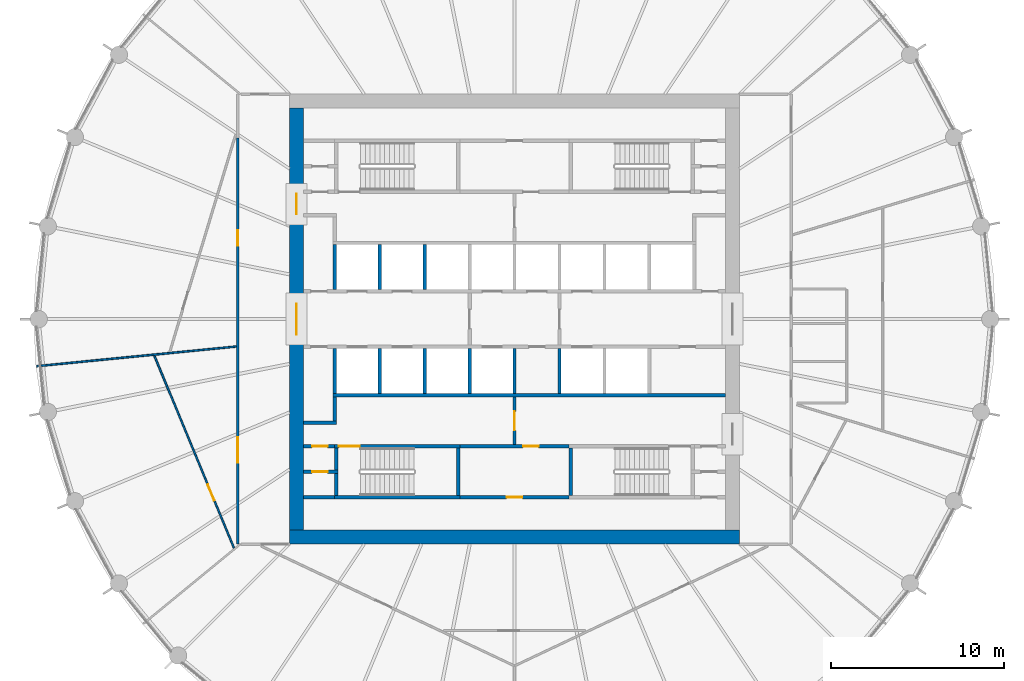
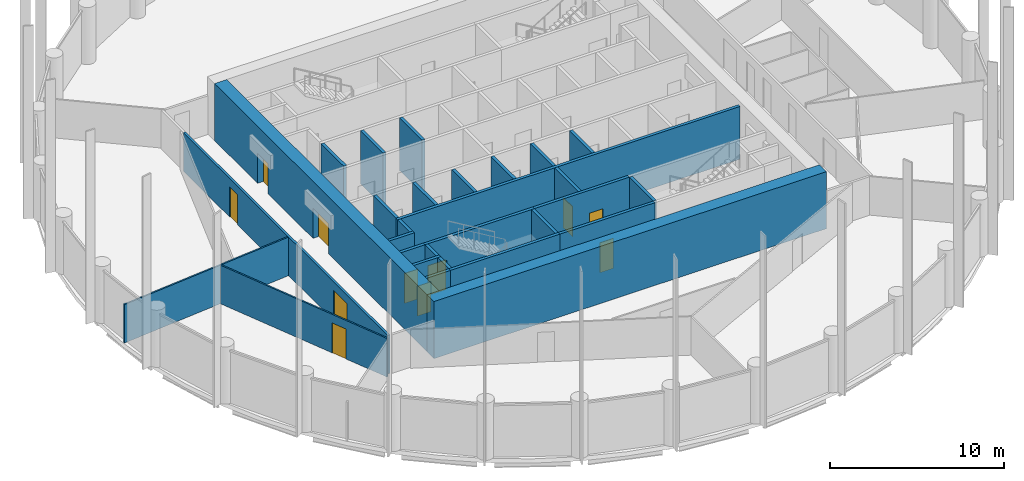
# One storey, part 4 of 8: 29 walls, 11 doors, 11 openings.
"""IFC4 building model written with IfcOpenShell, lengths in metres."""

from ifc_helpers import new_model, si_unit, direction, frame, frame_2d, origin, place, context, subcontext, project, spatial, polyline, rectangle, outline, extrude, material, layer, layer_set, type_object, element, fill, save


model = new_model("IFC4")

# Units and contexts
model_context = context("Model", 3, precision=1e-05, world=origin(), true_north=direction((0.0, 1.0)))
body_context = subcontext(model_context, "Body", "Model", "MODEL_VIEW")
ifc_project = project(units=[si_unit("LENGTHUNIT", "METRE"), si_unit("AREAUNIT", "SQUARE_METRE"), si_unit("VOLUMEUNIT", "CUBIC_METRE"), si_unit("PLANEANGLEUNIT", "RADIAN"), si_unit("MASSUNIT", "GRAM", prefix="KILO")], contexts=[model_context])

# Site, building, storey
site_placement = place(None, origin())
site = spatial("IfcSite", under=ifc_project, at=site_placement, CompositionType="ELEMENT")
building_placement = place(site_placement, origin())
building = spatial("IfcBuilding", under=site, at=building_placement, Name="Corvane Civic Tower", CompositionType="ELEMENT")
storey_placement = place(building_placement, frame((0.0, 0.0, 249.5)))
storey = spatial("IfcBuildingStorey", under=building, at=storey_placement, Name="L59", CompositionType="ELEMENT", Elevation=249.5)

# Wall
ifc_material_1 = material(Name="Concrete C50/60", Category="concrete")
ifc_layer_1 = layer(ifc_material_1, 0.800048828125)
ifc_layer_set_1 = layer_set([ifc_layer_1], Name="Concrete C50/60")
wall_type_1 = type_object("IfcWallType", Name="CORE WALL 800 C50/60", PredefinedType="SHEAR", material=ifc_layer_set_1)
wall_1_placement = place(storey_placement, frame((-13.0, -12.60009765625, 0.0), z_axis=(0.0, 0.0, 1.0), x_axis=(1.0, 0.0, 0.0)))
element("IfcWall", 1, at=wall_1_placement, inside=storey, type_object=wall_type_1, Name="W-L59-core-S", PredefinedType="SHEAR", context=body_context, shape_type="SweptSolid", body=[
    extrude(rectangle(XDim=26.0, YDim=0.800048828125, at=frame_2d((13.0, 0.0))), origin(), (0.0, 0.0, 1.0), 4.0),
])

# Wall, openings, doors
wall_2_placement = place(storey_placement, frame((-12.60009765625, -12.199951171875, 0.0), z_axis=(0.0, 0.0, 1.0), x_axis=(0.0, 1.0, 0.0)))
wall_2 = element("IfcWall", 2, at=wall_2_placement, inside=storey, type_object=wall_type_1, Name="W-L59-core-W", PredefinedType="SHEAR", context=body_context, shape_type="SweptSolid", body=[
    extrude(rectangle(XDim=24.39990234375, YDim=0.800048828125, at=frame_2d((12.199951171875, 0.0))), origin(), (0.0, 0.0, 1.0), 4.0),
])
opening_1_placement = place(wall_2_placement, frame((11.300048828125, 0.0, 0.0)))
opening_1 = element("IfcOpeningElement", 3, at=opening_1_placement, cuts=wall_2, Name="Opening L59.C28", PredefinedType="OPENING", context=body_context, shape_type="SweptSolid", body=[
    extrude(rectangle(XDim=1.800048828125, YDim=2.10009765625, at=frame_2d((0.89990234375, 1.050048828125))), frame((0.0, 0.409912109375, 0.0), z_axis=(0.0, -1.0, 0.0), x_axis=(1.0, 0.0, 0.0)), (0.0, 0.0, 1.0), 0.820068359375),
])
opening_2_placement = place(wall_2_placement, frame((18.25, 0.0, 0.0)))
opening_2 = element("IfcOpeningElement", 4, at=opening_2_placement, cuts=wall_2, Name="Opening L59.C30", PredefinedType="OPENING", context=body_context, shape_type="SweptSolid", body=[
    extrude(rectangle(XDim=1.199951171875, YDim=2.10009765625, at=frame_2d((0.60009765625, 1.050048828125))), frame((0.0, 0.409912109375, 0.0), z_axis=(0.0, -1.0, 0.0), x_axis=(1.0, 0.0, 0.0)), (0.0, 0.0, 1.0), 0.820068359375),
])
ifc_material_2 = material(Name="Steel fire door leaf", Category="steel")
door_type_1 = type_object("IfcDoorType", Name="CR-DOOR-CORE-1800", OperationType="DOUBLE_DOOR_SINGLE_SWING", PredefinedType="DOOR", material=ifc_material_2)
door_1_placement = place(opening_1_placement, origin())
door_1 = element("IfcDoor", 5, at=door_1_placement, inside=storey, type_object=door_type_1, Name="L59 door", OperationType="DOUBLE_DOOR_SINGLE_SWING", OverallHeight=2.10009765625, OverallWidth=1.800048828125, PredefinedType="DOOR", context=body_context, shape_type="SweptSolid", body=[
    extrude(rectangle(XDim=1.800048828125, YDim=2.10009765625, at=frame_2d((0.89990234375, 1.050048828125))), frame((0.0, 0.02490234375, 0.0), z_axis=(0.0, -1.0, 0.0), x_axis=(1.0, 0.0, 0.0)), (0.0, 0.0, 1.0), 0.050048828125),
])
fill(opening_1, door_1)
door_2_placement = place(opening_2_placement, origin())
door_2 = element("IfcDoor", 6, at=door_2_placement, inside=storey, type_object=door_type_1, Name="L59 door", OperationType="DOUBLE_DOOR_SINGLE_SWING", OverallHeight=2.10009765625, OverallWidth=1.199951171875, PredefinedType="DOOR", context=body_context, shape_type="SweptSolid", body=[
    extrude(rectangle(XDim=1.199951171875, YDim=2.10009765625, at=frame_2d((0.60009765625, 1.050048828125))), frame((0.0, 0.02490234375, 0.0), z_axis=(0.0, -1.0, 0.0), x_axis=(1.0, 0.0, 0.0)), (0.0, 0.0, 1.0), 0.050048828125),
])
fill(opening_2, door_2)

# Wall, opening, door
ifc_material_3 = material(Name="Concrete C30/37", Category="concrete")
ifc_layer_2 = layer(ifc_material_3, 0.199951171875)
ifc_layer_set_2 = layer_set([ifc_layer_2], Name="Concrete C30/37")
wall_type_2 = type_object("IfcWallType", Name="CR-WALL-200", PredefinedType="PARTITIONING", material=ifc_layer_set_2)
wall_3_placement = place(storey_placement, frame((-3.14990234375, -10.300048828125, 0.0), z_axis=(0.0, 0.0, 1.0), x_axis=(1.0, 0.0, 0.0)))
wall_3 = element("IfcWall", 7, at=wall_3_placement, inside=storey, type_object=wall_type_2, Name="L59 partition wall", PredefinedType="PARTITIONING", context=body_context, shape_type="SweptSolid", body=[
    extrude(rectangle(XDim=6.2998046875, YDim=0.199951171875, at=frame_2d((3.14990234375, 0.0))), origin(), (0.0, 0.0, 1.0), 3.699951171875),
])
opening_3_placement = place(wall_3_placement, frame((2.699951171875, 0.0, 0.0)))
opening_3 = element("IfcOpeningElement", 8, at=opening_3_placement, cuts=wall_3, Name="Opening L59.C09", PredefinedType="OPENING", context=body_context, shape_type="SweptSolid", body=[
    extrude(rectangle(XDim=0.89990234375, YDim=2.10009765625, at=frame_2d((0.449951171875, 1.050048828125))), frame((0.0, 0.10986328125, 0.0), z_axis=(0.0, -1.0, 0.0), x_axis=(1.0, 0.0, 0.0)), (0.0, 0.0, 1.0), 0.219970703125),
])
ifc_material_4 = material(Name="Steel fire door leaf", Category="steel")
door_type_2 = type_object("IfcDoorType", Name="CR-DOOR-900", OperationType="SINGLE_SWING_LEFT", PredefinedType="DOOR", material=ifc_material_4)
door_3_placement = place(opening_3_placement, origin())
door_3 = element("IfcDoor", 9, at=door_3_placement, inside=storey, type_object=door_type_2, Name="L59 door", OperationType="SINGLE_SWING_LEFT", OverallHeight=2.10009765625, OverallWidth=0.89990234375, PredefinedType="DOOR", context=body_context, shape_type="SweptSolid", body=[
    extrude(rectangle(XDim=0.89990234375, YDim=2.10009765625, at=frame_2d((0.449951171875, 1.050048828125))), frame((0.0, 0.02490234375, 0.0), z_axis=(0.0, -1.0, 0.0), x_axis=(1.0, 0.0, 0.0)), (0.0, 0.0, 1.0), 0.050048828125),
])
fill(opening_3, door_3)

wall_4_placement = place(storey_placement, frame((-12.199951171875, -8.824951171875, 0.0), z_axis=(0.0, 0.0, 1.0), x_axis=(1.0, 0.0, 0.0)))
wall_4 = element("IfcWall", 10, at=wall_4_placement, inside=storey, type_object=wall_type_2, Name="L59 partition wall", PredefinedType="PARTITIONING", context=body_context, shape_type="SweptSolid", body=[
    extrude(rectangle(XDim=2.0, YDim=0.199951171875, at=frame_2d((1.0, 0.0))), origin(), (0.0, 0.0, 1.0), 3.699951171875),
])
opening_4_placement = place(wall_4_placement, frame((0.5, 0.0, 0.0)))
opening_4 = element("IfcOpeningElement", 11, at=opening_4_placement, cuts=wall_4, Name="Opening L59.C13", PredefinedType="OPENING", context=body_context, shape_type="SweptSolid", body=[
    extrude(rectangle(XDim=0.89990234375, YDim=2.10009765625, at=frame_2d((0.449951171875, 1.050048828125))), frame((0.0, 0.10986328125, 0.0), z_axis=(0.0, -1.0, 0.0), x_axis=(1.0, 0.0, 0.0)), (0.0, 0.0, 1.0), 0.219970703125),
])
door_4_placement = place(opening_4_placement, origin())
door_4 = element("IfcDoor", 12, at=door_4_placement, inside=storey, type_object=door_type_2, Name="L59 door", OperationType="SINGLE_SWING_LEFT", OverallHeight=2.10009765625, OverallWidth=0.89990234375, PredefinedType="DOOR", context=body_context, shape_type="SweptSolid", body=[
    extrude(rectangle(XDim=0.89990234375, YDim=2.10009765625, at=frame_2d((0.449951171875, 1.050048828125))), frame((0.0, 0.02490234375, 0.0), z_axis=(0.0, -1.0, 0.0), x_axis=(1.0, 0.0, 0.0)), (0.0, 0.0, 1.0), 0.050048828125),
])
fill(opening_4, door_4)

wall_5_placement = place(storey_placement, frame((-12.199951171875, -7.35009765625, 0.0), z_axis=(0.0, 0.0, 1.0), x_axis=(1.0, 0.0, 0.0)))
wall_5 = element("IfcWall", 13, at=wall_5_placement, inside=storey, type_object=wall_type_2, Name="L59 core partition wall", PredefinedType="PARTITIONING", context=body_context, shape_type="SweptSolid", body=[
    extrude(rectangle(XDim=1.800048828125, YDim=0.199951171875, at=frame_2d((0.89990234375, 0.0))), origin(), (0.0, 0.0, 1.0), 3.699951171875),
])
opening_5_placement = place(wall_5_placement, frame((0.5, 0.0, 0.0)))
opening_5 = element("IfcOpeningElement", 14, at=opening_5_placement, cuts=wall_5, Name="Opening L59.C12", PredefinedType="OPENING", context=body_context, shape_type="SweptSolid", body=[
    extrude(rectangle(XDim=0.89990234375, YDim=2.10009765625, at=frame_2d((0.449951171875, 1.050048828125))), frame((0.0, 0.10986328125, 0.0), z_axis=(0.0, -1.0, 0.0), x_axis=(1.0, 0.0, 0.0)), (0.0, 0.0, 1.0), 0.219970703125),
])
door_5_placement = place(opening_5_placement, origin())
door_5 = element("IfcDoor", 15, at=door_5_placement, inside=storey, type_object=door_type_2, Name="L59 door", OperationType="SINGLE_SWING_LEFT", OverallHeight=2.10009765625, OverallWidth=0.89990234375, PredefinedType="DOOR", context=body_context, shape_type="SweptSolid", body=[
    extrude(rectangle(XDim=0.89990234375, YDim=2.10009765625, at=frame_2d((0.449951171875, 1.050048828125))), frame((0.0, 0.02490234375, 0.0), z_axis=(0.0, -1.0, 0.0), x_axis=(1.0, 0.0, 0.0)), (0.0, 0.0, 1.0), 0.050048828125),
])
fill(opening_5, door_5)

wall_6_placement = place(storey_placement, frame((-3.14990234375, -7.35009765625, 0.0), z_axis=(0.0, 0.0, 1.0), x_axis=(1.0, 0.0, 0.0)))
wall_6 = element("IfcWall", 16, at=wall_6_placement, inside=storey, type_object=wall_type_2, Name="L59 partition wall", PredefinedType="PARTITIONING", context=body_context, shape_type="SweptSolid", body=[
    extrude(rectangle(XDim=6.2998046875, YDim=0.199951171875, at=frame_2d((3.14990234375, 0.0))), origin(), (0.0, 0.0, 1.0), 3.699951171875),
])
opening_6_placement = place(wall_6_placement, frame((3.64990234375, 0.0, 0.0)))
opening_6 = element("IfcOpeningElement", 17, at=opening_6_placement, cuts=wall_6, Name="Opening L59.C07", PredefinedType="OPENING", context=body_context, shape_type="SweptSolid", body=[
    extrude(rectangle(XDim=0.89990234375, YDim=2.10009765625, at=frame_2d((0.449951171875, 1.050048828125))), frame((0.0, 0.10986328125, 0.0), z_axis=(0.0, -1.0, 0.0), x_axis=(1.0, 0.0, 0.0)), (0.0, 0.0, 1.0), 0.219970703125),
])
door_6_placement = place(opening_6_placement, origin())
door_6 = element("IfcDoor", 18, at=door_6_placement, inside=storey, type_object=door_type_2, Name="L59 door", OperationType="SINGLE_SWING_LEFT", OverallHeight=2.10009765625, OverallWidth=0.89990234375, PredefinedType="DOOR", context=body_context, shape_type="SweptSolid", body=[
    extrude(rectangle(XDim=0.89990234375, YDim=2.10009765625, at=frame_2d((0.449951171875, 1.050048828125))), frame((0.0, 0.02490234375, 0.0), z_axis=(0.0, -1.0, 0.0), x_axis=(1.0, 0.0, 0.0)), (0.0, 0.0, 1.0), 0.050048828125),
])
fill(opening_6, door_6)

wall_7_placement = place(storey_placement, frame((0.0, -7.25, 0.0), z_axis=(0.0, 0.0, 1.0), x_axis=(0.0, 1.0, 0.0)))
wall_7 = element("IfcWall", 19, at=wall_7_placement, inside=storey, type_object=wall_type_2, Name="L59 core partition wall", PredefinedType="PARTITIONING", context=body_context, shape_type="SweptSolid", body=[
    extrude(rectangle(XDim=2.75, YDim=0.199951171875, at=frame_2d((1.375, 0.0))), origin(), (0.0, 0.0, 1.0), 3.699951171875),
])
opening_7_placement = place(wall_7_placement, frame((0.824951171875, 0.0, 0.0)))
opening_7 = element("IfcOpeningElement", 20, at=opening_7_placement, cuts=wall_7, Name="Opening L59.C27", PredefinedType="OPENING", context=body_context, shape_type="SweptSolid", body=[
    extrude(rectangle(XDim=1.10009765625, YDim=2.10009765625, at=frame_2d((0.550048828125, 1.050048828125))), frame((0.0, 0.10986328125, 0.0), z_axis=(0.0, -1.0, 0.0), x_axis=(1.0, 0.0, 0.0)), (0.0, 0.0, 1.0), 0.219970703125),
])
ifc_material_5 = material(Name="Steel fire door leaf", Category="steel")
door_type_3 = type_object("IfcDoorType", Name="CR-DOOR-FFL-1100", OperationType="SINGLE_SWING_LEFT", PredefinedType="DOOR", material=ifc_material_5)
door_7_placement = place(opening_7_placement, origin())
door_7 = element("IfcDoor", 21, at=door_7_placement, inside=storey, type_object=door_type_3, Name="L59 lobby door", OperationType="SINGLE_SWING_LEFT", OverallHeight=2.10009765625, OverallWidth=1.10009765625, PredefinedType="DOOR", context=body_context, shape_type="SweptSolid", body=[
    extrude(rectangle(XDim=1.10009765625, YDim=2.10009765625, at=frame_2d((0.550048828125, 1.050048828125))), frame((0.0, 0.02490234375, 0.0), z_axis=(0.0, -1.0, 0.0), x_axis=(1.0, 0.0, 0.0)), (0.0, 0.0, 1.0), 0.050048828125),
])
fill(opening_7, door_7)

# Walls
wall_8_placement = place(storey_placement, origin())
element("IfcWall", 22, at=wall_8_placement, inside=storey, type_object=wall_type_2, Name="L59 core partition wall", PredefinedType="PARTITIONING", context=body_context, shape_type="SweptSolid", body=[
    extrude(outline(polyline([(12.199951171875, -4.300048828125), (12.199951171875, -4.5), (-10.5, -4.5), (-10.5, -4.300048828125), (12.199951171875, -4.300048828125)])), origin(), (0.0, 0.0, 1.0), 3.699951171875),
])
wall_9_placement = place(storey_placement, origin())
element("IfcWall", 23, at=wall_9_placement, inside=storey, type_object=wall_type_2, Name="L59 core partition wall", PredefinedType="PARTITIONING", context=body_context, shape_type="SweptSolid", body=[
    extrude(outline(polyline([(-2.5, -1.699951171875), (-2.5, -4.2998046875), (-2.699951171875, -4.2998046875), (-2.699951171875, -1.699951171875), (-2.5, -1.699951171875)])), origin(), (0.0, 0.0, 1.0), 3.699951171875),
])
wall_10_placement = place(storey_placement, origin())
element("IfcWall", 24, at=wall_10_placement, inside=storey, type_object=wall_type_2, Name="L59 core partition wall", PredefinedType="PARTITIONING", context=body_context, shape_type="SweptSolid", body=[
    extrude(outline(polyline([(2.699951171875, -1.699951171875), (2.699951171875, -4.2998046875), (2.5, -4.2998046875), (2.5, -1.699951171875), (2.699951171875, -1.699951171875)])), origin(), (0.0, 0.0, 1.0), 3.699951171875),
])
wall_11_placement = place(storey_placement, origin())
element("IfcWall", 25, at=wall_11_placement, inside=storey, type_object=wall_type_2, Name="L59 core partition wall", PredefinedType="PARTITIONING", context=body_context, shape_type="SweptSolid", body=[
    extrude(outline(polyline([(0.10009765625, -1.699951171875), (0.10009765625, -4.2998046875), (-0.10009765625, -4.2998046875), (-0.10009765625, -1.699951171875), (0.10009765625, -1.699951171875)])), origin(), (0.0, 0.0, 1.0), 3.699951171875),
])
wall_12_placement = place(storey_placement, origin())
element("IfcWall", 26, at=wall_12_placement, inside=storey, type_object=wall_type_2, Name="L59 core partition wall", PredefinedType="PARTITIONING", context=body_context, shape_type="SweptSolid", body=[
    extrude(outline(polyline([(-10.300048828125, -1.699951171875), (-10.300048828125, -4.2998046875), (-10.5, -4.2998046875), (-10.5, -1.699951171875), (-10.300048828125, -1.699951171875)])), origin(), (0.0, 0.0, 1.0), 3.699951171875),
])
wall_13_placement = place(storey_placement, origin())
element("IfcWall", 27, at=wall_13_placement, inside=storey, type_object=wall_type_2, Name="L59 core partition wall", PredefinedType="PARTITIONING", context=body_context, shape_type="SweptSolid", body=[
    extrude(outline(polyline([(-7.699951171875, -1.699951171875), (-7.699951171875, -4.2998046875), (-7.89990234375, -4.2998046875), (-7.89990234375, -1.699951171875), (-7.699951171875, -1.699951171875)])), origin(), (0.0, 0.0, 1.0), 3.699951171875),
])
wall_14_placement = place(storey_placement, origin())
element("IfcWall", 28, at=wall_14_placement, inside=storey, type_object=wall_type_2, Name="L59 core partition wall", PredefinedType="PARTITIONING", context=body_context, shape_type="SweptSolid", body=[
    extrude(outline(polyline([(-5.10009765625, -1.699951171875), (-5.10009765625, -4.2998046875), (-5.300048828125, -4.2998046875), (-5.300048828125, -1.699951171875), (-5.10009765625, -1.699951171875)])), origin(), (0.0, 0.0, 1.0), 3.699951171875),
])
wall_15_placement = place(storey_placement, origin())
element("IfcWall", 29, at=wall_15_placement, inside=storey, type_object=wall_type_2, Name="L59 core partition wall", PredefinedType="PARTITIONING", context=body_context, shape_type="SweptSolid", body=[
    extrude(outline(polyline([(-10.300048828125, -6.10009765625), (-12.199951171875, -6.10009765625), (-12.199951171875, -5.89990234375), (-10.300048828125, -5.89990234375), (-10.300048828125, -6.10009765625)])), origin(), (0.0, 0.0, 1.0), 3.699951171875),
])
wall_16_placement = place(storey_placement, origin())
element("IfcWall", 30, at=wall_16_placement, inside=storey, type_object=wall_type_2, Name="L59 core partition wall", PredefinedType="PARTITIONING", context=body_context, shape_type="SweptSolid", body=[
    extrude(outline(polyline([(-10.300048828125, -5.89990234375), (-10.5, -5.89990234375), (-10.5, -4.5), (-10.300048828125, -4.5), (-10.300048828125, -5.89990234375)])), origin(), (0.0, 0.0, 1.0), 3.699951171875),
])
wall_17_placement = place(storey_placement, origin())
element("IfcWall", 31, at=wall_17_placement, inside=storey, type_object=wall_type_2, Name="L59 core partition wall", PredefinedType="PARTITIONING", context=body_context, shape_type="SweptSolid", body=[
    extrude(outline(polyline([(-10.300048828125, 1.699951171875), (-10.5, 1.699951171875), (-10.5, 4.2998046875), (-10.300048828125, 4.2998046875), (-10.300048828125, 1.699951171875)])), origin(), (0.0, 0.0, 1.0), 3.699951171875),
])
wall_18_placement = place(storey_placement, origin())
element("IfcWall", 32, at=wall_18_placement, inside=storey, type_object=wall_type_2, Name="L59 core partition wall", PredefinedType="PARTITIONING", context=body_context, shape_type="SweptSolid", body=[
    extrude(outline(polyline([(-7.699951171875, 1.699951171875), (-7.89990234375, 1.699951171875), (-7.89990234375, 4.2998046875), (-7.699951171875, 4.2998046875), (-7.699951171875, 1.699951171875)])), origin(), (0.0, 0.0, 1.0), 3.699951171875),
])
wall_19_placement = place(storey_placement, origin())
element("IfcWall", 33, at=wall_19_placement, inside=storey, type_object=wall_type_2, Name="L59 core partition wall", PredefinedType="PARTITIONING", context=body_context, shape_type="SweptSolid", body=[
    extrude(outline(polyline([(-5.10009765625, 1.699951171875), (-5.300048828125, 1.699951171875), (-5.300048828125, 4.2998046875), (-5.10009765625, 4.2998046875), (-5.10009765625, 1.699951171875)])), origin(), (0.0, 0.0, 1.0), 3.699951171875),
])
wall_20_placement = place(storey_placement, origin())
element("IfcWall", 34, at=wall_20_placement, inside=storey, type_object=wall_type_2, Name="L59 core partition wall", PredefinedType="PARTITIONING", context=body_context, shape_type="SweptSolid", body=[
    extrude(outline(polyline([(-10.39990234375, -10.39990234375), (-12.199951171875, -10.39990234375), (-12.199951171875, -10.199951171875), (-10.39990234375, -10.199951171875), (-10.39990234375, -10.39990234375)])), origin(), (0.0, 0.0, 1.0), 3.699951171875),
])

# Wall, opening, door
ifc_material_6 = material(Name="Plasterboard")
ifc_layer_3 = layer(ifc_material_6, 0.10009765625)
ifc_layer_set_3 = layer_set([ifc_layer_3], Name="Plasterboard")
wall_type_3 = type_object("IfcWallType", Name="Partition 100 plasterboard on studs", PredefinedType="PARTITIONING", material=ifc_layer_set_3)
wall_21_placement = place(storey_placement, frame((-20.815185546875, -2.114990234375, 0.0), z_axis=(0.0, 0.0, 1.0), x_axis=(0.382678182982, -0.92388170686, 0.0)))
wall_21 = element("IfcWall", 35, at=wall_21_placement, inside=storey, type_object=wall_type_3, Name="Partition L59.007", PredefinedType="PARTITIONING", context=body_context, shape_type="SweptSolid", body=[
    extrude(rectangle(XDim=12.0234375, YDim=0.10009765625, at=frame_2d((6.01171875, 0.0))), origin(), (0.0, 0.0, 1.0), 2.699951171875),
])
opening_8_placement = place(wall_21_placement, frame((8.05615234375, 0.0, 0.0)))
opening_8 = element("IfcOpeningElement", 36, at=opening_8_placement, cuts=wall_21, Name="Opening L59.014", PredefinedType="OPENING", context=body_context, shape_type="SweptSolid", body=[
    extrude(rectangle(XDim=1.0, YDim=2.10009765625, at=frame_2d((0.5, 1.050048828125))), frame((0.0, 0.06005859375, 0.0), z_axis=(0.0, -1.0, 0.0), x_axis=(1.0, 0.0, 0.0)), (0.0, 0.0, 1.0), 0.1201171875),
])
ifc_material_7 = material(Name="Timber", Category="wood")
door_type_4 = type_object("IfcDoorType", Name="Single door 1000", OperationType="NOTDEFINED", PredefinedType="DOOR", material=ifc_material_7)
door_8_placement = place(opening_8_placement, frame((1.0, 0.0, 0.0), z_axis=(0.0, 0.0, 1.0), x_axis=(-1.0, 0.0, 0.0)))
door_8 = element("IfcDoor", 37, at=door_8_placement, inside=storey, type_object=door_type_4, Name="Door L59.014", OperationType="SINGLE_SWING_LEFT", OverallHeight=2.10009765625, OverallWidth=1.0, PredefinedType="DOOR", context=body_context, shape_type="SweptSolid", body=[
    extrude(rectangle(XDim=1.0, YDim=2.10009765625, at=frame_2d((0.5, 1.050048828125))), frame((0.0, 0.02490234375, 0.0), z_axis=(0.0, -1.0, 0.0), x_axis=(1.0, 0.0, 0.0)), (0.0, 0.0, 1.0), 0.050048828125),
])
fill(opening_8, door_8)

# Wall
wall_22_placement = place(storey_placement, frame((-27.616455078125, -2.719970703125, 0.0), z_axis=(0.0, 0.0, 1.0), x_axis=(0.995184958345, 0.098014788084, 0.0)))
element("IfcWall", 38, at=wall_22_placement, inside=storey, type_object=wall_type_3, Name="Partition L59.017", PredefinedType="PARTITIONING", context=body_context, shape_type="SweptSolid", body=[
    extrude(rectangle(XDim=11.592529296875, YDim=0.10009765625, at=frame_2d((5.79638671875, 0.0))), origin(), (0.0, 0.0, 1.0), 2.699951171875),
])

# Wall, opening, door
ifc_material_8 = material(Name="Concrete C50/60", Category="concrete")
ifc_layer_4 = layer(ifc_material_8, 0.199951171875)
ifc_layer_set_4 = layer_set([ifc_layer_4], Name="Concrete C50/60")
wall_type_4 = type_object("IfcWallType", Name="ST-WALL-200", PredefinedType="SHEAR", material=ifc_layer_set_4)
wall_23_placement = place(storey_placement, frame((-10.39990234375, -7.35009765625, 0.0), z_axis=(0.0, 0.0, 1.0), x_axis=(1.0, 0.0, 0.0)))
wall_23 = element("IfcWall", 39, at=wall_23_placement, inside=storey, type_object=wall_type_4, Name="L59 stair enclosure wall", PredefinedType="SHEAR", context=body_context, shape_type="SweptSolid", body=[
    extrude(rectangle(XDim=7.25, YDim=0.199951171875, at=frame_2d((3.625, 0.0))), origin(), (0.0, 0.0, 1.0), 3.699951171875),
])
opening_9_placement = place(wall_23_placement, frame((0.25, 0.0, 0.0)))
opening_9 = element("IfcOpeningElement", 40, at=opening_9_placement, cuts=wall_23, Name="Opening L59.C23", PredefinedType="OPENING", context=body_context, shape_type="SweptSolid", body=[
    extrude(rectangle(XDim=1.199951171875, YDim=2.10009765625, at=frame_2d((0.60009765625, 1.050048828125))), frame((0.0, 0.10986328125, 0.0), z_axis=(0.0, -1.0, 0.0), x_axis=(1.0, 0.0, 0.0)), (0.0, 0.0, 1.0), 0.219970703125),
])
ifc_material_9 = material(Name="Steel fire door leaf", Category="steel")
door_type_5 = type_object("IfcDoorType", Name="ST-DOOR-1200", OperationType="SINGLE_SWING_RIGHT", PredefinedType="DOOR", material=ifc_material_9)
door_9_placement = place(opening_9_placement, origin())
door_9 = element("IfcDoor", 41, at=door_9_placement, inside=storey, type_object=door_type_5, Name="L59 stair door", OperationType="SINGLE_SWING_RIGHT", OverallHeight=2.10009765625, OverallWidth=1.199951171875, PredefinedType="DOOR", context=body_context, shape_type="SweptSolid", body=[
    extrude(rectangle(XDim=1.199951171875, YDim=2.10009765625, at=frame_2d((0.60009765625, 1.050048828125))), frame((0.0, 0.02490234375, 0.0), z_axis=(0.0, -1.0, 0.0), x_axis=(1.0, 0.0, 0.0)), (0.0, 0.0, 1.0), 0.050048828125),
])
fill(opening_9, door_9)

# Walls
wall_24_placement = place(storey_placement, origin())
element("IfcWall", 42, at=wall_24_placement, inside=storey, type_object=wall_type_4, Name="L59 stair enclosure wall", PredefinedType="SHEAR", context=body_context, shape_type="SweptSolid", body=[
    extrude(outline(polyline([(-3.14990234375, -10.199951171875), (-3.14990234375, -10.39990234375), (-10.39990234375, -10.39990234375), (-10.39990234375, -10.199951171875), (-3.14990234375, -10.199951171875)])), origin(), (0.0, 0.0, 1.0), 3.699951171875),
])
wall_25_placement = place(storey_placement, origin())
element("IfcWall", 43, at=wall_25_placement, inside=storey, type_object=wall_type_4, Name="L59 stair enclosure wall", PredefinedType="SHEAR", context=body_context, shape_type="SweptSolid", body=[
    extrude(outline(polyline([(-3.14990234375, -7.449951171875), (-3.14990234375, -10.199951171875), (-3.35009765625, -10.199951171875), (-3.35009765625, -7.449951171875), (-3.14990234375, -7.449951171875)])), origin(), (0.0, 0.0, 1.0), 3.699951171875),
])
wall_26_placement = place(storey_placement, origin())
element("IfcWall", 44, at=wall_26_placement, inside=storey, type_object=wall_type_4, Name="L59 stair enclosure wall", PredefinedType="SHEAR", context=body_context, shape_type="SweptSolid", body=[
    extrude(outline(polyline([(3.35009765625, -7.449951171875), (3.35009765625, -10.199951171875), (3.14990234375, -10.199951171875), (3.14990234375, -7.449951171875), (3.35009765625, -7.449951171875)])), origin(), (0.0, 0.0, 1.0), 3.699951171875),
])
wall_27_placement = place(storey_placement, origin())
element("IfcWall", 45, at=wall_27_placement, inside=storey, type_object=wall_type_4, Name="L59 stair enclosure wall", PredefinedType="SHEAR", context=body_context, shape_type="SweptSolid", body=[
    extrude(outline(polyline([(-10.199951171875, -7.449951171875), (-10.199951171875, -8.72509765625), (-10.39990234375, -8.72509765625), (-10.39990234375, -7.449951171875), (-10.199951171875, -7.449951171875)])), origin(), (0.0, 0.0, 1.0), 3.699951171875),
])
wall_28_placement = place(storey_placement, origin())
element("IfcWall", 46, at=wall_28_placement, inside=storey, type_object=wall_type_4, Name="L59 stair enclosure wall", PredefinedType="SHEAR", context=body_context, shape_type="SweptSolid", body=[
    extrude(outline(polyline([(-10.199951171875, -8.925048828125), (-10.199951171875, -10.199951171875), (-10.39990234375, -10.199951171875), (-10.39990234375, -8.925048828125), (-10.199951171875, -8.925048828125)])), origin(), (0.0, 0.0, 1.0), 3.699951171875),
])

# Wall, openings, doors
ifc_material_10 = material(Name="Plasterboard")
ifc_layer_5 = layer(ifc_material_10, 0.14990234375)
ifc_layer_set_5 = layer_set([ifc_layer_5], Name="Plasterboard")
wall_type_5 = type_object("IfcWallType", Name="Tenancy wall 150 EI 60", PredefinedType="PARTITIONING", material=ifc_layer_set_5)
wall_29_placement = place(storey_placement, frame((-16.0, -13.0, 0.0), z_axis=(0.0, 0.0, 1.0), x_axis=(0.0, 1.0, 0.0)))
wall_29 = element("IfcWall", 47, at=wall_29_placement, inside=storey, type_object=wall_type_5, Name="Partition L59.008", PredefinedType="PARTITIONING", context=body_context, shape_type="SweptSolid", body=[
    extrude(rectangle(XDim=23.459716796875, YDim=0.14990234375, at=frame_2d((11.72998046875, 0.0))), origin(), (0.0, 0.0, 1.0), 2.699951171875),
])
opening_10_placement = place(wall_29_placement, frame((4.68701171875, 0.0, 0.0)))
opening_10 = element("IfcOpeningElement", 48, at=opening_10_placement, cuts=wall_29, Name="Opening L59.015", PredefinedType="OPENING", context=body_context, shape_type="SweptSolid", body=[
    extrude(rectangle(XDim=1.5, YDim=2.10009765625, at=frame_2d((0.75, 1.050048828125))), frame((0.0, 0.0849609375, 0.0), z_axis=(0.0, -1.0, 0.0), x_axis=(1.0, 0.0, 0.0)), (0.0, 0.0, 1.0), 0.169921875),
])
opening_11_placement = place(wall_29_placement, frame((17.24462890625, 0.0, 0.0)))
opening_11 = element("IfcOpeningElement", 49, at=opening_11_placement, cuts=wall_29, Name="Opening L59.017", PredefinedType="OPENING", context=body_context, shape_type="SweptSolid", body=[
    extrude(rectangle(XDim=0.89990234375, YDim=2.10009765625, at=frame_2d((0.449951171875, 1.050048828125))), frame((0.0, 0.0849609375, 0.0), z_axis=(0.0, -1.0, 0.0), x_axis=(1.0, 0.0, 0.0)), (0.0, 0.0, 1.0), 0.169921875),
])
ifc_material_11 = material(Name="Steel and timber", Category="steel")
door_type_6 = type_object("IfcDoorType", Name="Fire door FD30S 900", OperationType="NOTDEFINED", PredefinedType="DOOR", material=ifc_material_11)
door_10_placement = place(opening_11_placement, origin())
door_10 = element("IfcDoor", 50, at=door_10_placement, inside=storey, type_object=door_type_6, Name="Door L59.017", OperationType="SINGLE_SWING_LEFT", OverallHeight=2.10009765625, OverallWidth=0.89990234375, PredefinedType="DOOR", context=body_context, shape_type="SweptSolid", body=[
    extrude(rectangle(XDim=0.89990234375, YDim=2.10009765625, at=frame_2d((0.449951171875, 1.050048828125))), frame((0.0, 0.02490234375, 0.0), z_axis=(0.0, -1.0, 0.0), x_axis=(1.0, 0.0, 0.0)), (0.0, 0.0, 1.0), 0.050048828125),
])
fill(opening_11, door_10)
ifc_material_12 = material(Name="Steel and timber", Category="steel")
door_type_7 = type_object("IfcDoorType", Name="Fire door FD60 double 1500", OperationType="NOTDEFINED", PredefinedType="DOOR", material=ifc_material_12)
door_11_placement = place(opening_10_placement, origin())
door_11 = element("IfcDoor", 51, at=door_11_placement, inside=storey, type_object=door_type_7, Name="Door L59.015", OperationType="DOUBLE_DOOR_SINGLE_SWING", OverallHeight=2.10009765625, OverallWidth=1.5, PredefinedType="DOOR", context=body_context, shape_type="SweptSolid", body=[
    extrude(rectangle(XDim=1.5, YDim=2.10009765625, at=frame_2d((0.75, 1.050048828125))), frame((0.0, 0.02490234375, 0.0), z_axis=(0.0, -1.0, 0.0), x_axis=(1.0, 0.0, 0.0)), (0.0, 0.0, 1.0), 0.050048828125),
])
fill(opening_10, door_11)

save(model, "model.ifc")
